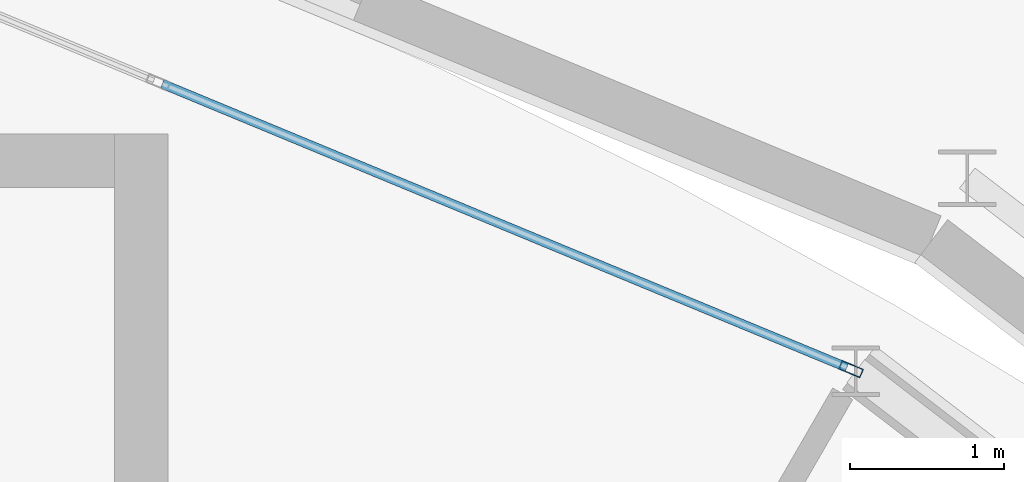
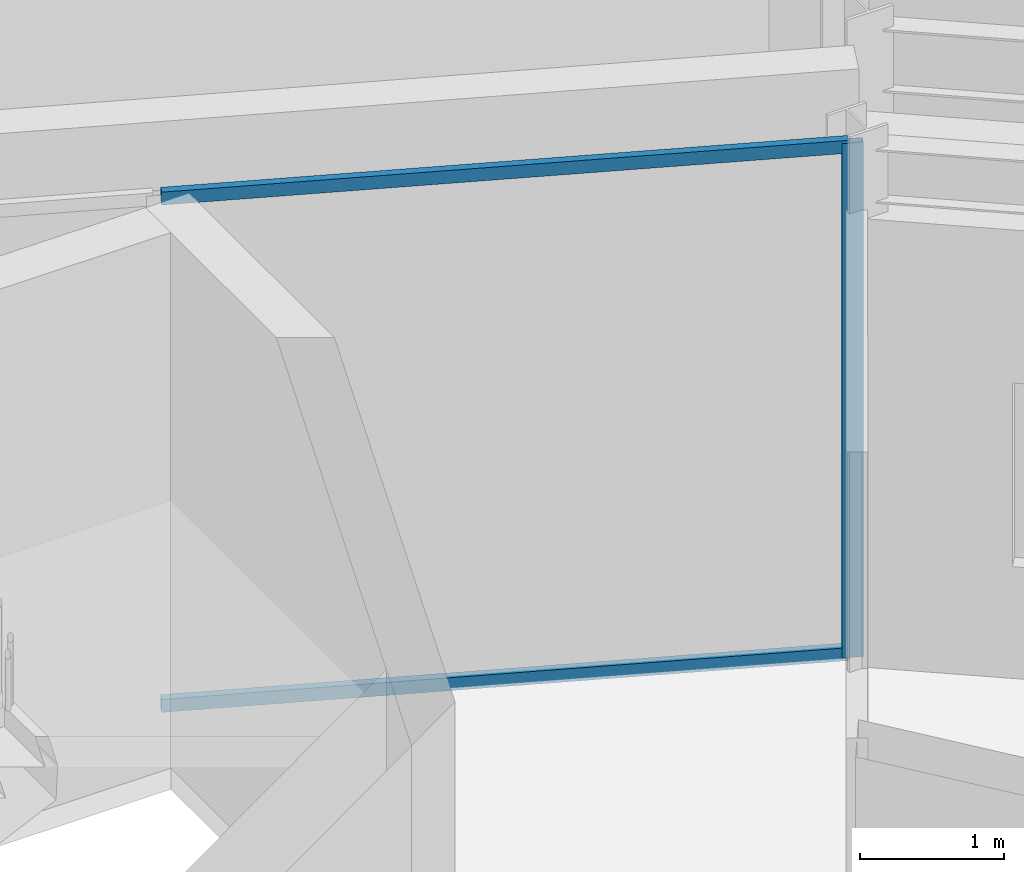
# One storey, part 82 of 157: 3 members, 1 element without a shape of its own.
"""IFC4 building model written with IfcOpenShell, lengths in metres."""

from ifc_helpers import new_model, si_unit, direction, frame, origin, origin_2d, place, context, subcontext, project, spatial, hollow_rectangle, extrude, material, material_profile, profile_set, type_object, element, aggregate, save


model = new_model("IFC4")

# Units and contexts
model_context = context("Model", 3, precision=1e-05, world=origin(), true_north=direction((0.0, 1.0)))
body_context = subcontext(model_context, "Body", "Model", "MODEL_VIEW")
ifc_project = project(units=[si_unit("LENGTHUNIT", "METRE"), si_unit("AREAUNIT", "SQUARE_METRE"), si_unit("VOLUMEUNIT", "CUBIC_METRE"), si_unit("PLANEANGLEUNIT", "RADIAN"), si_unit("MASSUNIT", "GRAM", prefix="KILO")], contexts=[model_context])

# Site, building, storey
site_placement = place(None, origin())
site = spatial("IfcSite", under=ifc_project, at=site_placement, CompositionType="ELEMENT")
building_placement = place(site_placement, origin())
building = spatial("IfcBuilding", under=site, at=building_placement, Name="Almandine Court Research Institute", CompositionType="ELEMENT")
storey_placement = place(building_placement, frame((0.0, 0.0, 5.25)))
storey = spatial("IfcBuildingStorey", under=building, at=storey_placement, Name="L01", CompositionType="ELEMENT", Elevation=5.25)

# Curtain wall, members
ifc_material_1 = material(Name="Unitised Curtain Wall Framing and Solar Glazing", Category="glass")
curtain_wall_type = type_object("IfcCurtainWallType", Name="CW-CWG-24", PredefinedType="USERDEFINED", material=ifc_material_1)
curtain_wall_placement = place(storey_placement, origin())
curtain_wall = element("IfcCurtainWall", 1, at=curtain_wall_placement, inside=storey, type_object=curtain_wall_type, Name="L01 Interaction Atrium Perimeter Curtain Wall 04", ObjectType="UNITISED GLAZING", PredefinedType="USERDEFINED")
ifc_material_2 = material(Name="Anodised Aluminium AW-6063-T6", Category="aluminium")
ifc_material_profile_1 = material_profile(ifc_material_2, hollow_rectangle(XDim=0.06005859375, YDim=0.14990234375, WallThickness=0.00390625, at=origin_2d()), Name="ALU RHS 60x150x4")
ifc_profile_set_1 = profile_set([ifc_material_profile_1], Name="Anodised Aluminium AW-6063-T6")
member_type_1 = type_object("IfcMemberType", Name="CWMul-60x150", PredefinedType="MULLION", material=ifc_profile_set_1)
member_1_placement = place(storey_placement, frame((105.794189453125, 88.619384765625, 0.0), z_axis=(0.0, 0.0, 1.0), x_axis=(0.382633558665, 0.923900189297, 0.0)))
member_1 = element("IfcMember", 2, at=member_1_placement, type_object=member_type_1, Name="CWG-24 mullion 3", PredefinedType="MULLION", context=body_context, shape_type="SweptSolid", body=[
    extrude(hollow_rectangle(XDim=0.06005859375, YDim=0.14990234375, WallThickness=0.00390625, at=origin_2d()), origin(), (0.0, 0.0, 1.0), 4.3701171875),
])
ifc_material_profile_2 = material_profile(ifc_material_2, hollow_rectangle(XDim=0.06005859375, YDim=0.110107421875, WallThickness=0.00390625, at=origin_2d()), Name="ALU RHS 60x110x4")
ifc_profile_set_2 = profile_set([ifc_material_profile_2], Name="Anodised Aluminium AW-6063-T6")
member_type_2 = type_object("IfcMemberType", Name="CWTrn-60x110", PredefinedType="NOTDEFINED", material=ifc_profile_set_2)
member_2_placement = place(storey_placement, frame((101.312744140625, 90.4755859375, 0.030029296875), z_axis=(0.923888449361, -0.382661904477, 0.0), x_axis=(0.382661904477, 0.923888449361, 0.0)))
member_2 = element("IfcMember", 3, at=member_2_placement, type_object=member_type_2, Name="CWG-24 transom 2.1", ObjectType="TRANSOM", PredefinedType="USERDEFINED", context=body_context, shape_type="SweptSolid", body=[
    extrude(hollow_rectangle(XDim=0.06005859375, YDim=0.110107421875, WallThickness=0.00390625, at=origin_2d()), origin(), (0.0, 0.0, 1.0), 4.82080078125),
])
member_3_placement = place(storey_placement, frame((101.312744140625, 90.4755859375, 4.340087890625), z_axis=(0.923888449361, -0.382661904477, 0.0), x_axis=(0.382661904477, 0.923888449361, 0.0)))
member_3 = element("IfcMember", 4, at=member_3_placement, type_object=member_type_2, Name="CWG-24 transom 2.2", ObjectType="TRANSOM", PredefinedType="USERDEFINED", context=body_context, shape_type="SweptSolid", body=[
    extrude(hollow_rectangle(XDim=0.06005859375, YDim=0.110107421875, WallThickness=0.00390625, at=origin_2d()), origin(), (0.0, 0.0, 1.0), 4.82080078125),
])
aggregate(curtain_wall, [member_1, member_2, member_3])

save(model, "model.ifc")
